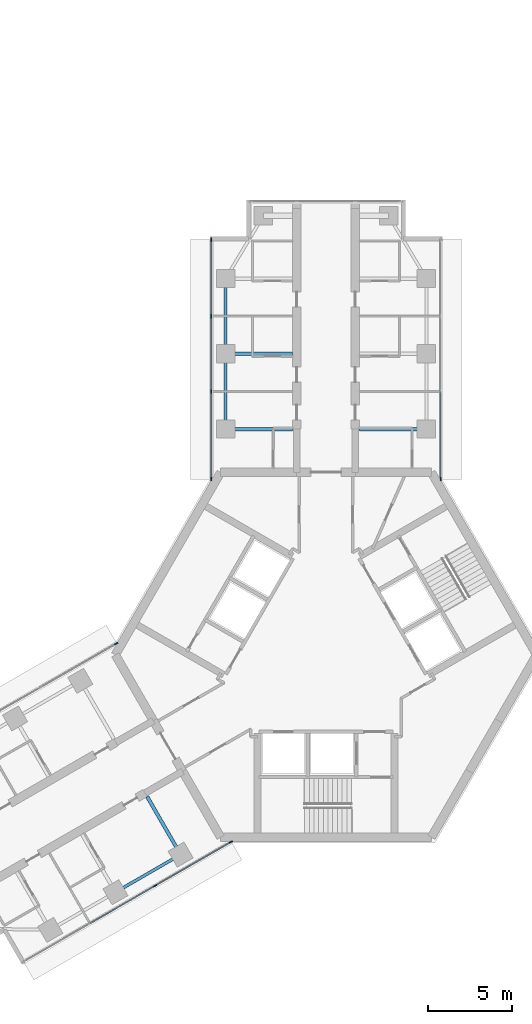
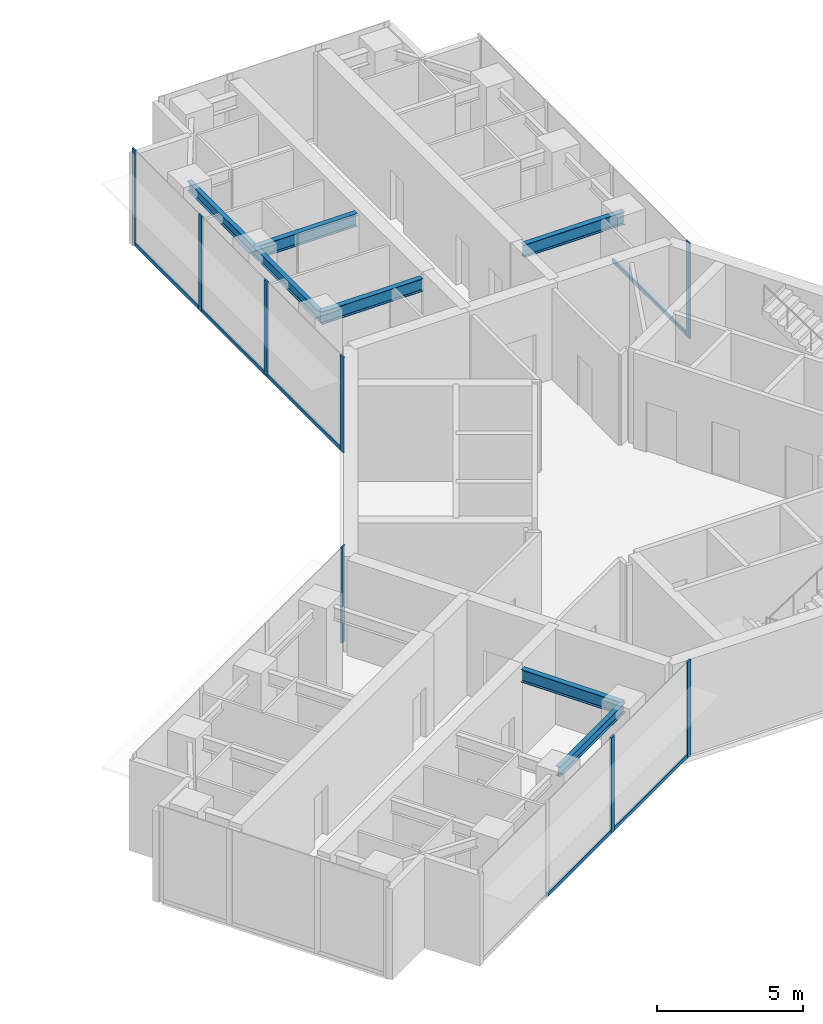
# One storey, part 8 of 18: 14 members, 7 beams, 4 elements without a shape of their own.
"""IFC4 building model written with IfcOpenShell, lengths in metres."""

from ifc_helpers import new_model, si_unit, direction, frame, origin, origin_2d, place, context, subcontext, project, spatial, rectangle, i_section, extrude, material, material_profile, profile_set, type_object, element, aggregate, save


model = new_model("IFC4")

# Units and contexts
model_context = context("Model", 3, precision=1e-05, world=origin(), true_north=direction((0.0, 1.0)))
body_context = subcontext(model_context, "Body", "Model", "MODEL_VIEW")
ifc_project = project(units=[si_unit("LENGTHUNIT", "METRE"), si_unit("AREAUNIT", "SQUARE_METRE"), si_unit("VOLUMEUNIT", "CUBIC_METRE"), si_unit("PLANEANGLEUNIT", "RADIAN"), si_unit("MASSUNIT", "GRAM", prefix="KILO")], contexts=[model_context])

# Site, building, storey
site_placement = place(None, origin())
site = spatial("IfcSite", under=ifc_project, at=site_placement, CompositionType="ELEMENT")
building_placement = place(site_placement, origin())
building = spatial("IfcBuilding", under=site, at=building_placement, Name="Upepo Twin Towers", CompositionType="ELEMENT")
storey_placement = place(building_placement, frame((0.0, 0.0, 218.5)))
storey = spatial("IfcBuildingStorey", under=building, at=storey_placement, Name="L53", CompositionType="ELEMENT", Elevation=218.5)

# Beams
ifc_material_1 = material(Name="Steel S355", Category="steel")
ifc_material_profile_1 = material_profile(ifc_material_1, i_section(OverallWidth=0.177978515625, OverallDepth=0.406494140625, WebThickness=0.0078125, FlangeThickness=0.0126953125, FilletRadius=0.01025390625, at=origin_2d()), Name="UB 406x178x60")
ifc_profile_set_1 = profile_set([ifc_material_profile_1], Name="Steel S355")
beam_type_1 = type_object("IfcBeamType", Name="Beam UB 406x178x60", PredefinedType="BEAM", material=ifc_profile_set_1)
for number, where, z_axis, x_axis, name in (
    (1, (52.5, -4.5, 3.5966796875), (0.0, 1.0, 0.0), (-1.0, 0.0, 0.0), "T2 edge beam AL 13.5-18.0"),
    (2, (52.5, 0.0, 3.5966796875), (0.0, 1.0, 0.0), (-1.0, 0.0, 0.0), "T2 edge beam AL 18.0-22.5"),
):
    element("IfcBeam", number, at=place(storey_placement, frame(where, z_axis=z_axis, x_axis=x_axis)), inside=storey, type_object=beam_type_1, Name=name, PredefinedType="BEAM", context=body_context, shape_type="SweptSolid", body=[
        extrude(i_section(OverallWidth=0.177978515625, OverallDepth=0.406494140625, WebThickness=0.0078125, FlangeThickness=0.0126953125, FilletRadius=0.01025390625, at=origin_2d()), origin(), (0.0, 0.0, 1.0), 4.5),
    ])
beam_placement = place(storey_placement, frame((49.80859375, -29.946044921875, 3.5966796875), z_axis=(-0.866017533419, -0.500013631625, 0.0), x_axis=(0.500013631625, -0.866017533419, 0.0)))
element("IfcBeam", 3, at=beam_placement, inside=storey, type_object=beam_type_1, Name="T2 edge beam BL 13.5-18.0", PredefinedType="BEAM", context=body_context, shape_type="SweptSolid", body=[
    extrude(i_section(OverallWidth=0.177978515625, OverallDepth=0.406494140625, WebThickness=0.0078125, FlangeThickness=0.0126953125, FilletRadius=0.01025390625, at=origin_2d()), origin(), (0.0, 0.0, 1.0), 4.499755859375),
])
ifc_material_2 = material(Name="Steel S355", Category="steel")
ifc_material_profile_2 = material_profile(ifc_material_2, i_section(OverallWidth=0.209228515625, OverallDepth=0.533203125, WebThickness=0.010009765625, FlangeThickness=0.015625, FilletRadius=0.0126953125, at=origin_2d()), Name="UB 533x210x92")
ifc_profile_set_2 = profile_set([ifc_material_profile_2], Name="Steel S355")
beam_type_2 = type_object("IfcBeamType", Name="Beam UB 533x210x92", PredefinedType="BEAM", material=ifc_profile_set_2)
for number, where, z_axis, x_axis, name in (
    (4, (52.5, -4.5, 3.533447265625), (1.0, 0.0, 0.0), (0.0, 1.0, 0.0), "T2 girder AL at 13.5"),
    (5, (52.5, 0.0, 3.533447265625), (1.0, 0.0, 0.0), (0.0, 1.0, 0.0), "T2 girder AL at 18.0"),
    (6, (64.5, -4.5, 3.533447265625), (-1.0, 0.0, 0.0), (0.0, -1.0, 0.0), "T2 girder AR at 13.5"),
    (7, (49.80859375, -29.946044921875, 3.533447265625), (-0.49999894854, 0.866026010844, 0.0), (-0.866026010844, -0.49999894854, 0.0), "T2 girder BL at 13.5"),
):
    element("IfcBeam", number, at=place(storey_placement, frame(where, z_axis=z_axis, x_axis=x_axis)), inside=storey, type_object=beam_type_2, Name=name, PredefinedType="BEAM", context=body_context, shape_type="SweptSolid", body=[
        extrude(i_section(OverallWidth=0.209228515625, OverallDepth=0.533203125, WebThickness=0.010009765625, FlangeThickness=0.015625, FilletRadius=0.0126953125, at=origin_2d()), origin(), (0.0, 0.0, 1.0), 4.0),
    ])

# Curtain wall, members
ifc_material_3 = material(Name="Aluminium and fritted glass", Category="aluminium")
curtain_wall_type = type_object("IfcCurtainWallType", Name="Tower curtain wall TW3, fritted glass", PredefinedType="NOTDEFINED", material=ifc_material_3)
curtain_wall_1_placement = place(storey_placement, origin())
curtain_wall_1 = element("IfcCurtainWall", 8, at=curtain_wall_1_placement, inside=storey, type_object=curtain_wall_type, Name="T2 L53 wing A flank L curtain wall", PredefinedType="NOTDEFINED")
ifc_material_4 = material(Name="Aluminium mullion", Category="aluminium")
ifc_material_profile_3 = material_profile(ifc_material_4, rectangle(XDim=0.06494140625, YDim=0.22509765625, at=origin_2d()), Name="MULLION 65x225")
ifc_profile_set_3 = profile_set([ifc_material_profile_3], Name="Aluminium mullion")
member_type_1 = type_object("IfcMemberType", Name="Mullion 65x225 TW3", PredefinedType="MULLION", material=ifc_profile_set_3)
member_1_placement = place(storey_placement, frame((51.64990234375, -7.48046875, 0.0), z_axis=(0.0, 0.0, 1.0), x_axis=(-1.0, 0.0, 0.0)))
member_1 = element("IfcMember", 9, at=member_1_placement, type_object=member_type_1, Name="T2 L53 wing A flank L curtain wall mullion 1", PredefinedType="MULLION", context=body_context, shape_type="SweptSolid", body=[
    extrude(rectangle(XDim=0.06494140625, YDim=0.22509765625, at=origin_2d()), origin(), (0.0, 0.0, 1.0), 4.0),
])
member_2_placement = place(storey_placement, frame((51.64990234375, -2.25, 0.0), z_axis=(0.0, 0.0, 1.0), x_axis=(-1.0, 0.0, 0.0)))
member_2 = element("IfcMember", 10, at=member_2_placement, type_object=member_type_1, Name="T2 L53 wing A flank L curtain wall mullion 2", PredefinedType="MULLION", context=body_context, shape_type="SweptSolid", body=[
    extrude(rectangle(XDim=0.06494140625, YDim=0.22509765625, at=origin_2d()), origin(), (0.0, 0.0, 1.0), 4.0),
])
member_3_placement = place(storey_placement, frame((51.64990234375, 2.25, 0.0), z_axis=(0.0, 0.0, 1.0), x_axis=(-1.0, 0.0, 0.0)))
member_3 = element("IfcMember", 11, at=member_3_placement, type_object=member_type_1, Name="T2 L53 wing A flank L curtain wall mullion 3", PredefinedType="MULLION", context=body_context, shape_type="SweptSolid", body=[
    extrude(rectangle(XDim=0.06494140625, YDim=0.22509765625, at=origin_2d()), origin(), (0.0, 0.0, 1.0), 4.0),
])
member_4_placement = place(storey_placement, frame((51.64990234375, 6.8173828125, 0.0), z_axis=(0.0, 0.0, 1.0), x_axis=(-1.0, 0.0, 0.0)))
member_4 = element("IfcMember", 12, at=member_4_placement, type_object=member_type_1, Name="T2 L53 wing A flank L curtain wall mullion 4", PredefinedType="MULLION", context=body_context, shape_type="SweptSolid", body=[
    extrude(rectangle(XDim=0.06494140625, YDim=0.22509765625, at=origin_2d()), origin(), (0.0, 0.0, 1.0), 4.0),
])

# Curtain wall, member
curtain_wall_2_placement = place(storey_placement, origin())
curtain_wall_2 = element("IfcCurtainWall", 13, at=curtain_wall_2_placement, inside=storey, type_object=curtain_wall_type, Name="T2 L53 wing A flank R curtain wall", PredefinedType="NOTDEFINED")
member_5_placement = place(storey_placement, frame((65.35009765625, -7.48046875, 0.0), z_axis=(0.0, 0.0, 1.0), x_axis=(1.0, 0.0, 0.0)))
member_5 = element("IfcMember", 14, at=member_5_placement, type_object=member_type_1, Name="T2 L53 wing A flank R curtain wall mullion 4", PredefinedType="MULLION", context=body_context, shape_type="SweptSolid", body=[
    extrude(rectangle(XDim=0.06494140625, YDim=0.22509765625, at=origin_2d()), origin(), (0.0, 0.0, 1.0), 4.0),
])

# Curtain wall, members
curtain_wall_3_placement = place(storey_placement, origin())
curtain_wall_3 = element("IfcCurtainWall", 15, at=curtain_wall_3_placement, inside=storey, type_object=curtain_wall_type, Name="T2 L53 wing B flank L curtain wall", PredefinedType="NOTDEFINED")
member_6_placement = place(storey_placement, frame((52.814697265625, -29.192138671875, 0.0), z_axis=(0.0, 0.0, 1.0), x_axis=(0.500000026527, -0.866025388469, 0.0)))
member_6 = element("IfcMember", 16, at=member_6_placement, type_object=member_type_1, Name="T2 L53 wing B flank L curtain wall mullion 1", PredefinedType="MULLION", context=body_context, shape_type="SweptSolid", body=[
    extrude(rectangle(XDim=0.06494140625, YDim=0.22509765625, at=origin_2d()), origin(), (0.0, 0.0, 1.0), 4.0),
])
member_7_placement = place(storey_placement, frame((48.28515625, -31.807373046875, 0.0), z_axis=(0.0, 0.0, 1.0), x_axis=(0.500000026527, -0.866025388469, 0.0)))
member_7 = element("IfcMember", 17, at=member_7_placement, type_object=member_type_1, Name="T2 L53 wing B flank L curtain wall mullion 2", PredefinedType="MULLION", context=body_context, shape_type="SweptSolid", body=[
    extrude(rectangle(XDim=0.06494140625, YDim=0.22509765625, at=origin_2d()), origin(), (0.0, 0.0, 1.0), 4.0),
])

# Curtain wall, member
curtain_wall_4_placement = place(storey_placement, origin())
curtain_wall_4 = element("IfcCurtainWall", 18, at=curtain_wall_4_placement, inside=storey, type_object=curtain_wall_type, Name="T2 L53 wing B flank R curtain wall", PredefinedType="NOTDEFINED")
member_8_placement = place(storey_placement, frame((45.96484375, -17.32763671875, 0.0), z_axis=(0.0, 0.0, 1.0), x_axis=(-0.500000026527, 0.866025388469, 0.0)))
member_8 = element("IfcMember", 19, at=member_8_placement, type_object=member_type_1, Name="T2 L53 wing B flank R curtain wall mullion 4", PredefinedType="MULLION", context=body_context, shape_type="SweptSolid", body=[
    extrude(rectangle(XDim=0.06494140625, YDim=0.22509765625, at=origin_2d()), origin(), (0.0, 0.0, 1.0), 4.0),
])
aggregate(curtain_wall_4, [member_8])

# Member
ifc_material_5 = material(Name="Aluminium transom", Category="aluminium")
ifc_material_profile_4 = material_profile(ifc_material_5, rectangle(XDim=0.06494140625, YDim=0.14990234375, at=origin_2d()), Name="TRANSOM 65x150")
ifc_profile_set_4 = profile_set([ifc_material_profile_4], Name="Aluminium transom")
member_type_2 = type_object("IfcMemberType", Name="Transom 65x150 TW3", PredefinedType="USERDEFINED", material=ifc_profile_set_4)
member_9_placement = place(storey_placement, frame((51.64990234375, -7.447998046875, 0.074951171875), z_axis=(0.0, 1.0, 0.0), x_axis=(-1.0, 0.0, 0.0)))
member_9 = element("IfcMember", 20, at=member_9_placement, type_object=member_type_2, Name="T2 L53 wing A flank L curtain wall transom 1", ObjectType="TRANSOM", PredefinedType="USERDEFINED", context=body_context, shape_type="SweptSolid", body=[
    extrude(rectangle(XDim=0.06494140625, YDim=0.14990234375, at=origin_2d()), origin(), (0.0, 0.0, 1.0), 5.16552734375),
])

member_10_placement = place(storey_placement, frame((51.64990234375, -2.217529296875, 0.074951171875), z_axis=(0.0, 1.0, 0.0), x_axis=(-1.0, 0.0, 0.0)))
member_10 = element("IfcMember", 21, at=member_10_placement, type_object=member_type_2, Name="T2 L53 wing A flank L curtain wall transom 2", ObjectType="TRANSOM", PredefinedType="USERDEFINED", context=body_context, shape_type="SweptSolid", body=[
    extrude(rectangle(XDim=0.06494140625, YDim=0.14990234375, at=origin_2d()), origin(), (0.0, 0.0, 1.0), 4.43505859375),
])

member_11_placement = place(storey_placement, frame((51.64990234375, 2.282470703125, 0.074951171875), z_axis=(0.0, 1.0, 0.0), x_axis=(-1.0, 0.0, 0.0)))
member_11 = element("IfcMember", 22, at=member_11_placement, type_object=member_type_2, Name="T2 L53 wing A flank L curtain wall transom 3", ObjectType="TRANSOM", PredefinedType="USERDEFINED", context=body_context, shape_type="SweptSolid", body=[
    extrude(rectangle(XDim=0.06494140625, YDim=0.14990234375, at=origin_2d()), origin(), (0.0, 0.0, 1.0), 4.50244140625),
])

aggregate(curtain_wall_1, [member_1, member_2, member_3, member_4, member_9, member_10, member_11])

member_12_placement = place(storey_placement, frame((65.35009765625, -2.282470703125, 0.074951171875), z_axis=(0.0, -1.0, 0.0), x_axis=(1.0, 0.0, 0.0)))
member_12 = element("IfcMember", 23, at=member_12_placement, type_object=member_type_2, Name="T2 L53 wing A flank R curtain wall transom 3", ObjectType="TRANSOM", PredefinedType="USERDEFINED", context=body_context, shape_type="SweptSolid", body=[
    extrude(rectangle(XDim=0.06494140625, YDim=0.14990234375, at=origin_2d()), origin(), (0.0, 0.0, 1.0), 5.16552734375),
])

aggregate(curtain_wall_2, [member_5, member_12])

member_13_placement = place(storey_placement, frame((52.78662109375, -29.208251953125, 0.074951171875), z_axis=(-0.86602108507, -0.500007480159, 0.0), x_axis=(0.500007480159, -0.86602108507, 0.0)))
member_13 = element("IfcMember", 24, at=member_13_placement, type_object=member_type_2, Name="T2 L53 wing B flank L curtain wall transom 1", ObjectType="TRANSOM", PredefinedType="USERDEFINED", context=body_context, shape_type="SweptSolid", body=[
    extrude(rectangle(XDim=0.06494140625, YDim=0.14990234375, at=origin_2d()), origin(), (0.0, 0.0, 1.0), 5.16552734375),
])

member_14_placement = place(storey_placement, frame((48.2568359375, -31.823486328125, 0.074951171875), z_axis=(-0.866022410713, -0.500005184116, 0.0), x_axis=(0.500005184116, -0.866022410713, 0.0)))
member_14 = element("IfcMember", 25, at=member_14_placement, type_object=member_type_2, Name="T2 L53 wing B flank L curtain wall transom 2", ObjectType="TRANSOM", PredefinedType="USERDEFINED", context=body_context, shape_type="SweptSolid", body=[
    extrude(rectangle(XDim=0.06494140625, YDim=0.14990234375, at=origin_2d()), origin(), (0.0, 0.0, 1.0), 4.43505859375),
])

aggregate(curtain_wall_3, [member_6, member_7, member_13, member_14])

save(model, "model.ifc")
